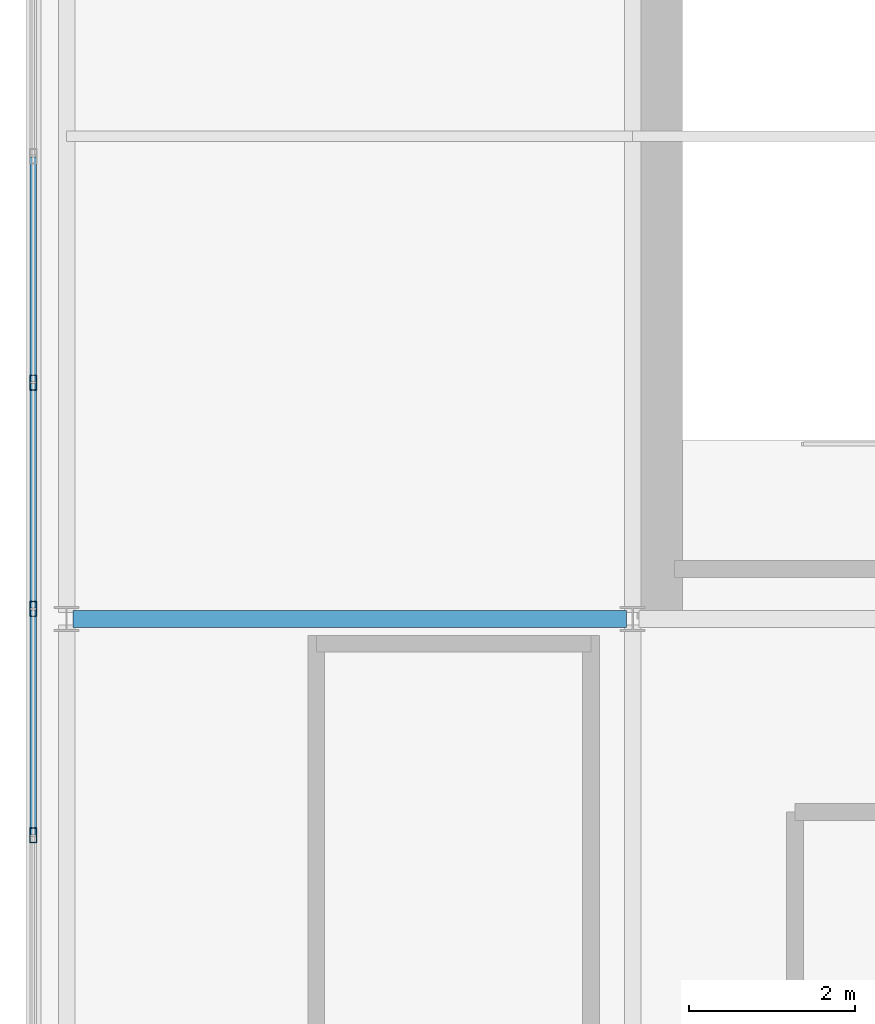
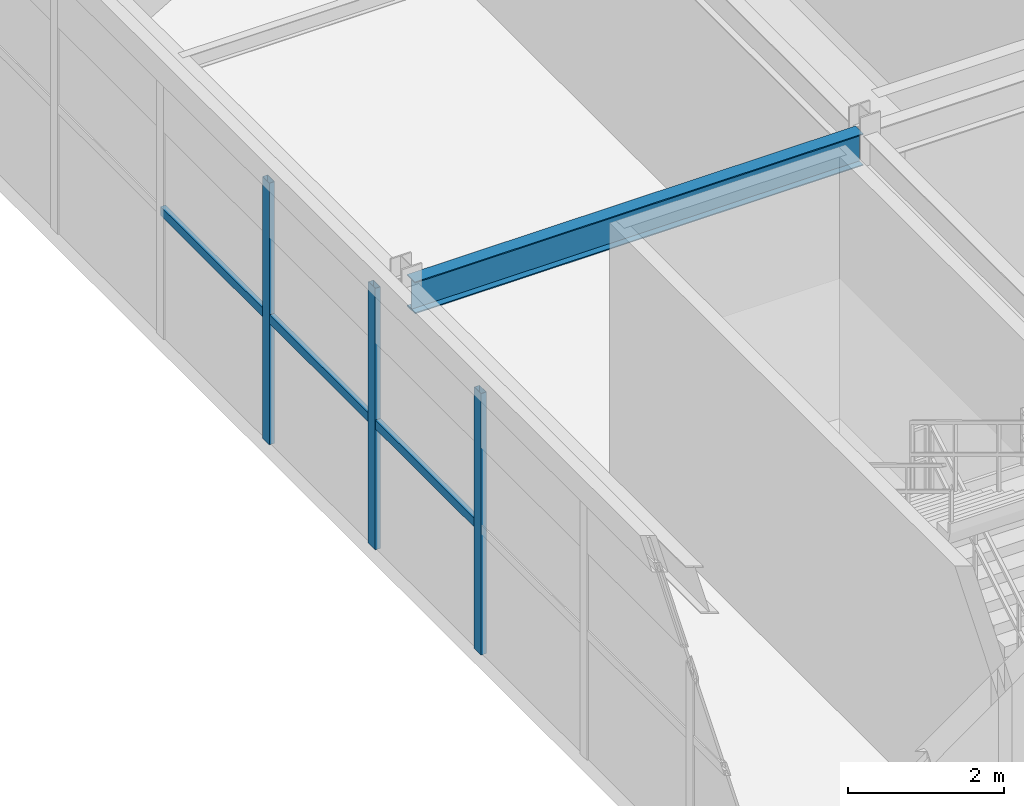
# One storey, part 9 of 37: 6 members, 1 beam, 1 element without a shape of its own.
"""IFC4 building model written with IfcOpenShell, lengths in metres."""

import ifcopenshell
import ifcopenshell.guid

model = None  # the IFC model being written
_history = None  # IfcOwnerHistory: only IFC2X3 demands one
_inside = {}  # id of a spatial element -> (the spatial element, [elements in it])
_under = {}  # id of a project, library or spatial element -> (it, [spatial elements below it])
_declared = {}  # id of a project -> (the project, [libraries it declares])
_typed = {}  # id of a type object -> (the type object, [elements of that type])
_made_of = {}  # id of a material, layer set ... -> (it, [elements and type objects made of it])


def new_model(schema):
    """Start an empty IFC model of exactly this schema.

    Asked for "IFC4X3", IfcOpenShell would pick the latest addendum, in which some entities
    have other attributes; the version numbers below select the first issue.
    IFC2X3 requires an IfcOwnerHistory on every rooted entity: one is made here for all.
    """
    global model, _history
    if schema == "IFC4X3":
        model = ifcopenshell.file(schema_version=(4, 3, 0, 0))
    else:
        model = ifcopenshell.file(schema=schema)
    _inside.clear()
    _under.clear()
    _declared.clear()
    _typed.clear()
    _made_of.clear()
    _history = None
    if model.schema == "IFC2X3":
        org = make("IfcOrganization", Name="unknown")
        user = make(
            "IfcPersonAndOrganization",
            ThePerson=make("IfcPerson", FamilyName="unknown"),
            TheOrganization=org,
        )
        app = make(
            "IfcApplication",
            ApplicationDeveloper=org,
            Version="unknown",
            ApplicationFullName="unknown",
            ApplicationIdentifier="unknown",
        )
        _history = make(
            "IfcOwnerHistory",
            OwningUser=user,
            OwningApplication=app,
            ChangeAction="ADDED",
            CreationDate=0,
        )
    return model


def make(cls, **values):
    """One entity of the class cls with the attributes given. An attribute that is None is left unset."""
    return model.create_entity(
        cls, **{name: value for name, value in values.items() if value is not None}
    )


def rooted(cls, **values):
    """An entity with a GlobalId (a new one), such as an element, a storey or a relation."""
    return make(cls, GlobalId=ifcopenshell.guid.new(), OwnerHistory=_history, **values)


def si_unit(unit_type, name, prefix=None):
    """IfcSIUnit, for example si_unit("LENGTHUNIT", "METRE", prefix="MILLI")."""
    return make("IfcSIUnit", UnitType=unit_type, Prefix=prefix, Name=name)


def assignment(units):
    """IfcUnitAssignment: the units of a project."""
    return None if units is None else make("IfcUnitAssignment", Units=units)


def point(xyz):
    """IfcCartesianPoint."""
    return None if xyz is None else make("IfcCartesianPoint", Coordinates=xyz)


def direction(xyz):
    """IfcDirection."""
    return None if xyz is None else make("IfcDirection", DirectionRatios=xyz)


def frame(location, z_axis=None, x_axis=None):
    """IfcAxis2Placement3D, a coordinate frame: its origin and axes. An axis left out is left unset."""
    return make(
        "IfcAxis2Placement3D",
        Location=point(location),
        Axis=direction(z_axis),
        RefDirection=direction(x_axis),
    )


def frame_2d(location, x_axis=None):
    """IfcAxis2Placement2D, a coordinate frame in the plane: its origin and x axis."""
    return make(
        "IfcAxis2Placement2D", Location=point(location), RefDirection=direction(x_axis)
    )


def origin():
    """The frame at (0, 0, 0) with its axes left unset."""
    return frame((0.0, 0.0, 0.0))


def origin_2d():
    """The frame at (0, 0) in the plane with its x axis left unset."""
    return frame_2d((0.0, 0.0))


def place(relative_to, where):
    """IfcLocalPlacement: puts the frame where relative to a parent placement (None: the world)."""
    return make(
        "IfcLocalPlacement", PlacementRelTo=relative_to, RelativePlacement=where
    )


def context(
    kind, dimensions, precision=None, world=None, true_north=None, identifier=None
):
    """IfcGeometricRepresentationContext, for example the 3D "Model" context."""
    return make(
        "IfcGeometricRepresentationContext",
        ContextIdentifier=identifier,
        ContextType=kind,
        CoordinateSpaceDimension=dimensions,
        Precision=precision,
        WorldCoordinateSystem=world,
        TrueNorth=true_north,
    )


def subcontext(parent, identifier, kind, view, scale=None):
    """IfcGeometricRepresentationSubContext, for example "Body" below "Model"."""
    return make(
        "IfcGeometricRepresentationSubContext",
        ContextIdentifier=identifier,
        ContextType=kind,
        ParentContext=parent,
        TargetScale=scale,
        TargetView=view,
    )


def project(units=None, contexts=None):
    """IfcProject with its units and contexts."""
    return rooted(
        "IfcProject",
        Name="project",
        RepresentationContexts=contexts,
        UnitsInContext=assignment(units),
    )


def spatial(cls, under=None, at=None, **own):
    """A site, building, storey or space (cls), placed at a placement, below another one or the project."""
    s = rooted(cls, ObjectPlacement=at, **own)
    if under is not None:
        _under.setdefault(under.id(), (under, []))[1].append(s)
    return s


def profile(cls, at=None, kind="AREA", **sizes):
    """A parametric profile (cls). Its sizes go by their IFC names, for example OverallWidth=200.0."""
    return make(cls, ProfileType=kind, Position=at, **sizes)


def hollow_rectangle(**sizes):
    """IfcRectangleHollowProfileDef."""
    return profile("IfcRectangleHollowProfileDef", **sizes)


def i_section(**sizes):
    """IfcIShapeProfileDef."""
    return profile("IfcIShapeProfileDef", **sizes)


def extrude(swept, where, along, depth):
    """IfcExtrudedAreaSolid: the profile swept, set in the frame where, extruded along a direction by depth."""
    return make(
        "IfcExtrudedAreaSolid",
        SweptArea=swept,
        Position=where,
        ExtrudedDirection=direction(along),
        Depth=depth,
    )


def shape(context_of_items, identifier, shape_type, items):
    """IfcShapeRepresentation: the items that make up one representation, for example the "Body"."""
    return make(
        "IfcShapeRepresentation",
        ContextOfItems=context_of_items,
        RepresentationIdentifier=identifier,
        RepresentationType=shape_type,
        Items=items,
    )


def source(mapping_origin, context_of_items, identifier, shape_type, items):
    """IfcRepresentationMap: a shape defined once, which mapped items show again and again."""
    return make(
        "IfcRepresentationMap",
        MappingOrigin=mapping_origin,
        MappedRepresentation=shape(context_of_items, identifier, shape_type, items),
    )


def transform(
    local_origin,
    x_axis=None,
    y_axis=None,
    z_axis=None,
    scale=None,
    scale2=None,
    scale3=None,
    uniform=True,
):
    """IfcCartesianTransformationOperator3D, or its non-uniform kind. x_axis, y_axis, z_axis: its Axis1, 2, 3."""
    if uniform:
        return make(
            "IfcCartesianTransformationOperator3D",
            Axis1=direction(x_axis),
            Axis2=direction(y_axis),
            LocalOrigin=point(local_origin),
            Scale=scale,
            Axis3=direction(z_axis),
        )
    return make(
        "IfcCartesianTransformationOperator3DnonUniform",
        Axis1=direction(x_axis),
        Axis2=direction(y_axis),
        LocalOrigin=point(local_origin),
        Scale=scale,
        Axis3=direction(z_axis),
        Scale2=scale2,
        Scale3=scale3,
    )


def mapped(mapping_source, mapping_target):
    """IfcMappedItem: shows the shape of a source again, moved by a transform."""
    return make(
        "IfcMappedItem", MappingSource=mapping_source, MappingTarget=mapping_target
    )


def material(Name=None, Category=None):
    """IfcMaterial."""
    return make("IfcMaterial", Name=Name, Category=Category)


def material_profile(
    of_material, cross_section, Name=None, Category=None, Priority=None
):
    """IfcMaterialProfile: a cross section and its material."""
    return make(
        "IfcMaterialProfile",
        Name=Name,
        Material=of_material,
        Profile=cross_section,
        Priority=Priority,
        Category=Category,
    )


def profile_set(profiles, Name=None, composite=None):
    """IfcMaterialProfileSet."""
    return make(
        "IfcMaterialProfileSet",
        Name=Name,
        MaterialProfiles=profiles,
        CompositeProfile=composite,
    )


def made_of(thing, what):
    """Note that an element or type object is made of a material, layer set ...; save() writes the relation."""
    if what is not None:
        _made_of.setdefault(what.id(), (what, []))[1].append(thing)
    return thing


def type_object(cls, material=None, **own):
    """A type object (cls), such as IfcWallType, which elements share."""
    return made_of(rooted(cls, **own), material)


def element(
    cls,
    number,
    at=None,
    inside=None,
    cuts=None,
    type_object=None,
    material=None,
    context=None,
    identifier="Body",
    shape_type=None,
    held_by="IfcProductDefinitionShape",
    body=None,
    shapes=None,
    **own,
):
    """One element of the class cls, such as IfcWall. Its Tag is "e" and its number.

    at: its placement. inside: the storey or other place that contains it. cuts: it is an
    opening in that element (IfcRelVoidsElement). A single representation is given by context,
    identifier, shape_type and body (its items); several are given by shapes. held_by: the class
    of the entity that holds the representations. save() writes the other relations.
    """
    e = rooted(cls, Tag="e%d" % number, ObjectPlacement=at, **own)
    if body is not None:
        shapes = [shape(context, identifier, shape_type, body)]
    if shapes is not None:
        e.Representation = make(held_by, Representations=shapes)
    if inside is not None:
        _inside.setdefault(inside.id(), (inside, []))[1].append(e)
    if cuts is not None:
        rooted(
            "IfcRelVoidsElement", RelatingBuildingElement=cuts, RelatedOpeningElement=e
        )
    if type_object is not None:
        _typed.setdefault(type_object.id(), (type_object, []))[1].append(e)
    return made_of(e, material)


def aggregate(whole, parts):
    """IfcRelAggregates: a whole, such as a stair, and the parts it consists of."""
    return rooted("IfcRelAggregates", RelatingObject=whole, RelatedObjects=parts)


def save(model, path):
    """Write the relations noted so far, then the file.

    IfcRelAggregates (storeys below a building ...), IfcRelContainedInSpatialStructure (elements
    in a storey), IfcRelDefinesByType, IfcRelAssociatesMaterial and IfcRelDeclares: one each for
    every whole, place, type object, material and project.
    """
    for whole, parts in _under.values():
        aggregate(whole, parts)
    for where, things in _inside.values():
        rooted(
            "IfcRelContainedInSpatialStructure",
            RelatedElements=things,
            RelatingStructure=where,
        )
    for kind, things in _typed.values():
        rooted("IfcRelDefinesByType", RelatedObjects=things, RelatingType=kind)
    for what, things in _made_of.values():
        rooted("IfcRelAssociatesMaterial", RelatedObjects=things, RelatingMaterial=what)
    for by, libraries in _declared.values():
        rooted("IfcRelDeclares", RelatingContext=by, RelatedDefinitions=libraries)
    model.write(path)


model = new_model("IFC4")

# Units and contexts
model_context = context("Model", 3, precision=1e-05, world=origin(), true_north=direction((0.0, 1.0)))
body_context = subcontext(model_context, "Body", "Model", "MODEL_VIEW")
ifc_project = project(units=[si_unit("LENGTHUNIT", "METRE"), si_unit("AREAUNIT", "SQUARE_METRE"), si_unit("VOLUMEUNIT", "CUBIC_METRE"), si_unit("PLANEANGLEUNIT", "RADIAN"), si_unit("MASSUNIT", "GRAM", prefix="KILO")], contexts=[model_context])

# Site, building, storey
site_placement = place(None, origin())
site = spatial("IfcSite", under=ifc_project, at=site_placement, CompositionType="ELEMENT")
building_placement = place(site_placement, origin())
building = spatial("IfcBuilding", under=site, at=building_placement, Name="Trelvane Seafront Commons", CompositionType="ELEMENT")
storey_placement = place(building_placement, frame((0.0, 0.0, 303.5)))
storey = spatial("IfcBuildingStorey", under=building, at=storey_placement, Name="L79", CompositionType="ELEMENT", Elevation=303.5)

# Beam
ifc_material_1 = material(Name="Steel SM355 (S355)", Category="steel")
ifc_material_profile_1 = material_profile(ifc_material_1, i_section(OverallWidth=0.199951171875, OverallDepth=0.5, WebThickness=0.010009765625, FlangeThickness=0.01611328125, at=origin_2d()), Name="H-500x200x10x16")
ifc_profile_set_1 = profile_set([ifc_material_profile_1], Name="Steel SM355 (S355)")
beam_type = type_object("IfcBeamType", Name="STR-CROWN-FRAME-RING", PredefinedType="SPANDREL", material=ifc_profile_set_1)
shared_shape_1 = source(origin(), body_context, "Body", "SweptSolid", [
    extrude(i_section(OverallWidth=0.199951171875, OverallDepth=0.5, WebThickness=0.010009765625, FlangeThickness=0.01611328125, at=origin_2d()), origin(), (0.0, 0.0, 1.0), 6.64990234375),
])
beam_placement = place(storey_placement, frame((8.875, 33.39990234375, 3.85009765625), z_axis=(1.0, 0.0, 0.0), x_axis=(0.0, 1.0, 0.0)))
element("IfcBeam", 1, at=beam_placement, inside=storey, type_object=beam_type, Name="L79 CROWN FRAME Ring Beam G-08", PredefinedType="SPANDREL", context=body_context, shape_type="MappedRepresentation", body=[
    mapped(shared_shape_1, transform((0.0, 0.0, 0.0), x_axis=(1.0, 0.0, 0.0), y_axis=(0.0, 1.0, 0.0), z_axis=(0.0, 0.0, 1.0), scale=1.0)),
])

# Curtain wall, members
ifc_material_2 = material(Name="Anodised pale-silver aluminium", Category="aluminium")
curtain_wall_type = type_object("IfcCurtainWallType", Name="ARCH-CW6-CROWN", PredefinedType="NOTDEFINED", material=ifc_material_2)
curtain_wall_placement = place(storey_placement, origin())
curtain_wall = element("IfcCurtainWall", 2, at=curtain_wall_placement, inside=storey, type_object=curtain_wall_type, Name="CW-L79-0128", PredefinedType="NOTDEFINED")
ifc_material_profile_2 = material_profile(ifc_material_2, hollow_rectangle(XDim=0.080078125, YDim=0.179931640625, WallThickness=0.00439453125, at=origin_2d()), Name="MULL-80x180x4.5")
ifc_profile_set_2 = profile_set([ifc_material_profile_2], Name="Anodised pale-silver aluminium")
member_type_1 = type_object("IfcMemberType", Name="ARCH-CW-MULL-180", PredefinedType="MULLION", material=ifc_profile_set_2)
shared_shape_2 = source(origin(), body_context, "Body", "SweptSolid", [
    extrude(hollow_rectangle(XDim=0.080078125, YDim=0.179931640625, WallThickness=0.00439453125, at=origin_2d()), origin(), (0.0, 0.0, 1.0), 4.10009765625),
])
member_1_placement = place(storey_placement, frame((8.39990234375, 30.800048828125, 0.0), z_axis=(0.0, 0.0, 1.0), x_axis=(1.0, 0.0, 0.0)))
member_1 = element("IfcMember", 3, at=member_1_placement, type_object=member_type_1, Name="CW-L79-0128-M05", PredefinedType="MULLION", context=body_context, shape_type="MappedRepresentation", body=[
    mapped(shared_shape_2, transform((0.0, 0.0, 0.0), x_axis=(1.0, 0.0, 0.0), y_axis=(0.0, 1.0, 0.0), z_axis=(0.0, 0.0, 1.0), scale=1.0)),
])
member_2_placement = place(storey_placement, frame((8.39990234375, 33.52001953125, 0.0), z_axis=(0.0, 0.0, 1.0), x_axis=(1.0, 0.0, 0.0)))
member_2 = element("IfcMember", 4, at=member_2_placement, type_object=member_type_1, Name="CW-L79-0128-M06", PredefinedType="MULLION", context=body_context, shape_type="MappedRepresentation", body=[
    mapped(shared_shape_2, transform((0.0, 0.0, 0.0), x_axis=(1.0, 0.0, 0.0), y_axis=(0.0, 1.0, 0.0), z_axis=(0.0, 0.0, 1.0), scale=1.0)),
])
member_3_placement = place(storey_placement, frame((8.39990234375, 36.239990234375, 0.0), z_axis=(0.0, 0.0, 1.0), x_axis=(1.0, 0.0, 0.0)))
member_3 = element("IfcMember", 5, at=member_3_placement, type_object=member_type_1, Name="CW-L79-0128-M07", PredefinedType="MULLION", context=body_context, shape_type="MappedRepresentation", body=[
    mapped(shared_shape_2, transform((0.0, 0.0, 0.0), x_axis=(1.0, 0.0, 0.0), y_axis=(0.0, 1.0, 0.0), z_axis=(0.0, 0.0, 1.0), scale=1.0)),
])
ifc_material_profile_3 = material_profile(ifc_material_2, hollow_rectangle(XDim=0.074951171875, YDim=0.139892578125, WallThickness=0.00390625, at=origin_2d()), Name="TRAN-75x140x4")
ifc_profile_set_3 = profile_set([ifc_material_profile_3], Name="Anodised pale-silver aluminium")
member_type_2 = type_object("IfcMemberType", Name="ARCH-CW-TRAN-140", PredefinedType="USERDEFINED", material=ifc_profile_set_3)
shared_shape_3 = source(origin(), body_context, "Body", "SweptSolid", [
    extrude(hollow_rectangle(XDim=0.074951171875, YDim=0.139892578125, WallThickness=0.00390625, at=origin_2d()), origin(), (0.0, 0.0, 1.0), 2.696044921875),
])
member_4_placement = place(storey_placement, frame((8.39990234375, 30.81201171875, 1.968017578125), z_axis=(0.0, 1.0, 0.0), x_axis=(-1.0, 0.0, 0.0)))
member_4 = element("IfcMember", 6, at=member_4_placement, type_object=member_type_2, Name="CW-L79-0128-T05", ObjectType="TRANSOM", PredefinedType="USERDEFINED", context=body_context, shape_type="MappedRepresentation", body=[
    mapped(shared_shape_3, transform((0.0, 0.0, 0.0), x_axis=(1.0, 0.0, 0.0), y_axis=(0.0, 1.0, 0.0), z_axis=(0.0, 0.0, 1.0), scale=1.0)),
])
member_5_placement = place(storey_placement, frame((8.39990234375, 33.531982421875, 1.968017578125), z_axis=(0.0, 1.0, 0.0), x_axis=(-1.0, 0.0, 0.0)))
member_5 = element("IfcMember", 7, at=member_5_placement, type_object=member_type_2, Name="CW-L79-0128-T06", ObjectType="TRANSOM", PredefinedType="USERDEFINED", context=body_context, shape_type="MappedRepresentation", body=[
    mapped(shared_shape_3, transform((0.0, 0.0, 0.0), x_axis=(1.0, 0.0, 0.0), y_axis=(0.0, 1.0, 0.0), z_axis=(0.0, 0.0, 1.0), scale=1.0)),
])
member_6_placement = place(storey_placement, frame((8.39990234375, 36.251953125, 1.968017578125), z_axis=(0.0, 1.0, 0.0), x_axis=(-1.0, 0.0, 0.0)))
member_6 = element("IfcMember", 8, at=member_6_placement, type_object=member_type_2, Name="CW-L79-0128-T07", ObjectType="TRANSOM", PredefinedType="USERDEFINED", context=body_context, shape_type="MappedRepresentation", body=[
    mapped(shared_shape_3, transform((0.0, 0.0, 0.0), x_axis=(1.0, 0.0, 0.0), y_axis=(0.0, 1.0, 0.0), z_axis=(0.0, 0.0, 1.0), scale=1.0)),
])
aggregate(curtain_wall, [member_1, member_2, member_3, member_4, member_5, member_6])

save(model, "model.ifc")
